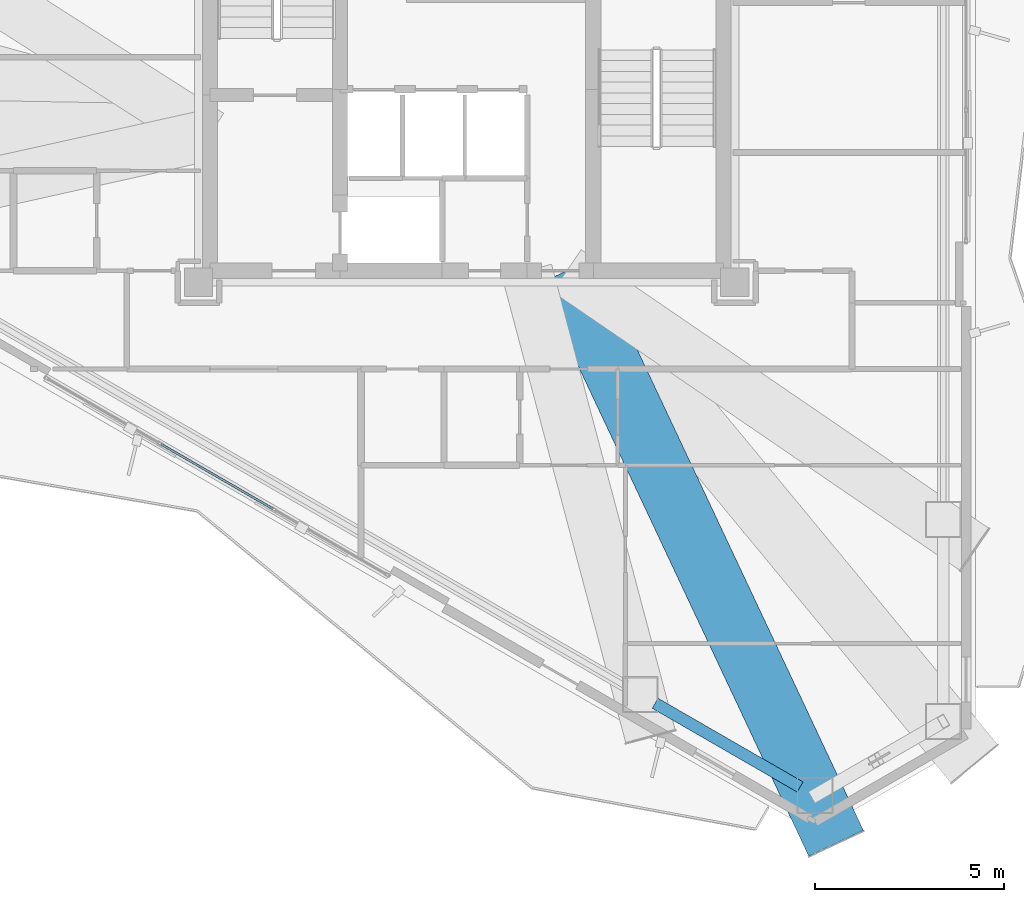
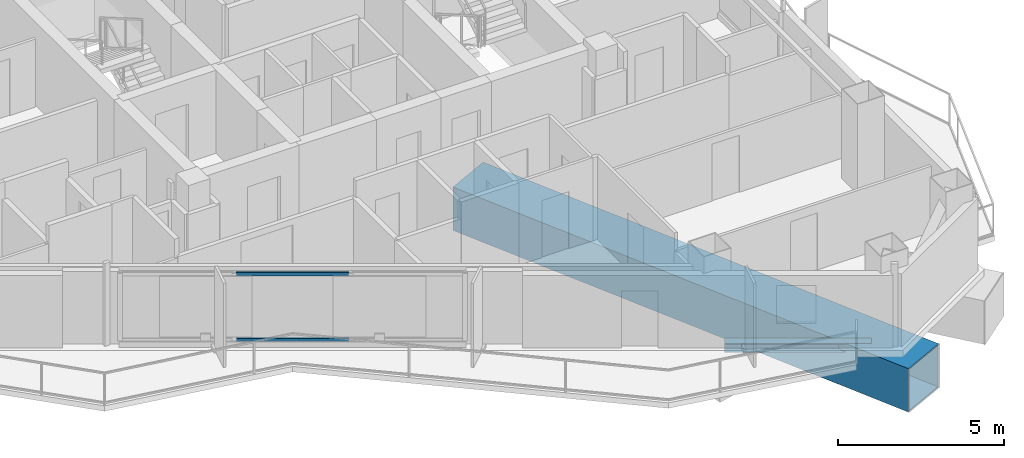
# One storey, part 3 of 21: 2 beams, 2 members, 1 element without a shape of its own.
"""IFC4 building model written with IfcOpenShell, lengths in metres."""

from ifc_helpers import new_model, si_unit, direction, frame, origin, origin_2d, place, context, subcontext, project, spatial, hollow_rectangle, i_section, extrude, material, layer, layer_set, material_profile, profile_set, type_object, element, aggregate, save


model = new_model("IFC4")

# Units and contexts
model_context = context("Model", 3, precision=1e-05, world=origin(), true_north=direction((0.0, 1.0)))
body_context = subcontext(model_context, "Body", "Model", "MODEL_VIEW")
ifc_project = project(units=[si_unit("LENGTHUNIT", "METRE"), si_unit("AREAUNIT", "SQUARE_METRE"), si_unit("VOLUMEUNIT", "CUBIC_METRE"), si_unit("PLANEANGLEUNIT", "RADIAN"), si_unit("MASSUNIT", "GRAM", prefix="KILO")], contexts=[model_context])

# Site, building, storey
site_placement = place(None, origin())
site = spatial("IfcSite", under=ifc_project, at=site_placement, CompositionType="ELEMENT")
building_placement = place(site_placement, origin())
building = spatial("IfcBuilding", under=site, at=building_placement, Name="Mersakhor Tower and Convention Hall", CompositionType="ELEMENT")
storey_placement = place(building_placement, frame((0.0, 0.0, 121.199951171875)))
storey = spatial("IfcBuildingStorey", under=building, at=storey_placement, Name="L33", CompositionType="ELEMENT", Elevation=121.199951171875)

# Beams
ifc_material_1 = material(Name="Steel S355", Category="steel")
ifc_material_profile_1 = material_profile(ifc_material_1, i_section(OverallWidth=0.30908203125, OverallDepth=0.320556640625, WebThickness=0.013916015625, FlangeThickness=0.021728515625, at=origin_2d()), Name="UC 305x305x137")
ifc_profile_set_1 = profile_set([ifc_material_profile_1], Name="Steel S355")
beam_type_1 = type_object("IfcBeamType", Name="BM-SPD-UC305", PredefinedType="SPANDREL", material=ifc_profile_set_1)
beam_1_placement = place(storey_placement, frame((37.826416015625, 7.082763671875, -0.400146484375), z_axis=(-0.866038875684, 0.49997666526, 0.0), x_axis=(-0.49997666526, -0.866038875684, 0.0)))
element("IfcBeam", 1, at=beam_1_placement, inside=storey, type_object=beam_type_1, Name="L33 Perimeter Spandrel Beam SPB-09", PredefinedType="SPANDREL", context=body_context, shape_type="SweptSolid", body=[
    extrude(i_section(OverallWidth=0.30908203125, OverallDepth=0.320556640625, WebThickness=0.013916015625, FlangeThickness=0.021728515625, at=origin_2d()), origin(), (0.0, 0.0, 1.0), 4.433837890625),
])
ifc_material_2 = material(Name="Steel S460", Category="steel")
ifc_material_profile_2 = material_profile(ifc_material_2, hollow_rectangle(XDim=1.60009765625, YDim=1.60009765625, WallThickness=0.0400390625, at=origin_2d()), Name="SHS 1600x1600x40")
ifc_profile_set_2 = profile_set([ifc_material_profile_2], Name="Steel S460")
beam_type_2 = type_object("IfcBeamType", Name="BM-TR-BOX1600", PredefinedType="BEAM", material=ifc_profile_set_2)
beam_2_placement = place(storey_placement, frame((38.77880859375, 5.59130859375, -1.0400390625), z_axis=(-0.425572420591, 0.904924369675, 0.0), x_axis=(-0.904924369675, -0.425572420591, 0.0)))
element("IfcBeam", 2, at=beam_2_placement, inside=storey, type_object=beam_type_2, Name="L33 Taper Step Transfer Girder STG-09", PredefinedType="BEAM", context=body_context, shape_type="SweptSolid", body=[
    extrude(hollow_rectangle(XDim=1.60009765625, YDim=1.60009765625, WallThickness=0.0400390625, at=origin_2d()), origin(), (0.0, 0.0, 1.0), 16.751220703125),
])

# Curtain wall, members
ifc_material_3 = material(Name="Dark solar low-E aluminium curtain wall", Category="aluminium")
ifc_layer = layer(ifc_material_3, 0.169921875)
ifc_layer_set = layer_set([ifc_layer], Name="Dark solar low-E aluminium curtain wall")
curtain_wall_type = type_object("IfcCurtainWallType", Name="CW-SYS-02", PredefinedType="USERDEFINED", material=ifc_layer_set)
curtain_wall_placement = place(storey_placement, origin())
curtain_wall = element("IfcCurtainWall", 3, at=curtain_wall_placement, inside=storey, type_object=curtain_wall_type, Name="L33 Dark-Glass Curtain Wall F3-B2", ObjectType="CURTAIN WALL", PredefinedType="USERDEFINED")
ifc_material_4 = material(Name="Anodised aluminium EN AW-6063 T6", Category="aluminium")
ifc_material_profile_3 = material_profile(ifc_material_4, hollow_rectangle(XDim=0.06005859375, YDim=0.1201171875, WallThickness=0.0048828125, at=origin_2d()), Name="RHS 120x60x5")
ifc_profile_set_3 = profile_set([ifc_material_profile_3], Name="Anodised aluminium EN AW-6063 T6")
member_type = type_object("IfcMemberType", Name="CWT-120x60", PredefinedType="USERDEFINED", material=ifc_profile_set_3)
member_1_placement = place(storey_placement, frame((23.871337890625, 14.44677734375, 0.22998046875), z_axis=(-0.866007273829, 0.50003140069, 0.0), x_axis=(-0.50003140069, -0.866007273829, 0.0)))
member_1 = element("IfcMember", 4, at=member_1_placement, type_object=member_type, Name="CW-02 transom 2.1", ObjectType="TRANSOM", PredefinedType="USERDEFINED", context=body_context, shape_type="SweptSolid", body=[
    extrude(hollow_rectangle(XDim=0.06005859375, YDim=0.1201171875, WallThickness=0.0048828125, at=origin_2d()), origin(), (0.0, 0.0, 1.0), 3.420166015625),
])
member_2_placement = place(storey_placement, frame((23.871337890625, 14.44677734375, 2.650146484375), z_axis=(-0.866007273829, 0.50003140069, 0.0), x_axis=(-0.50003140069, -0.866007273829, 0.0)))
member_2 = element("IfcMember", 5, at=member_2_placement, type_object=member_type, Name="CW-02 transom 2.2", ObjectType="TRANSOM", PredefinedType="USERDEFINED", context=body_context, shape_type="SweptSolid", body=[
    extrude(hollow_rectangle(XDim=0.06005859375, YDim=0.1201171875, WallThickness=0.0048828125, at=origin_2d()), origin(), (0.0, 0.0, 1.0), 3.420166015625),
])
aggregate(curtain_wall, [member_1, member_2])

save(model, "model.ifc")
